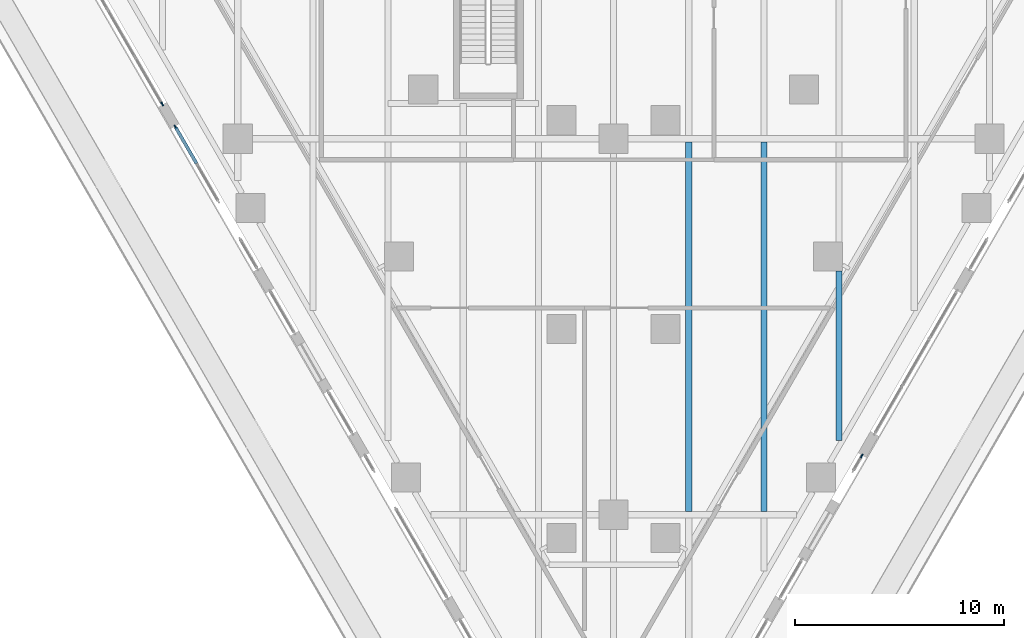
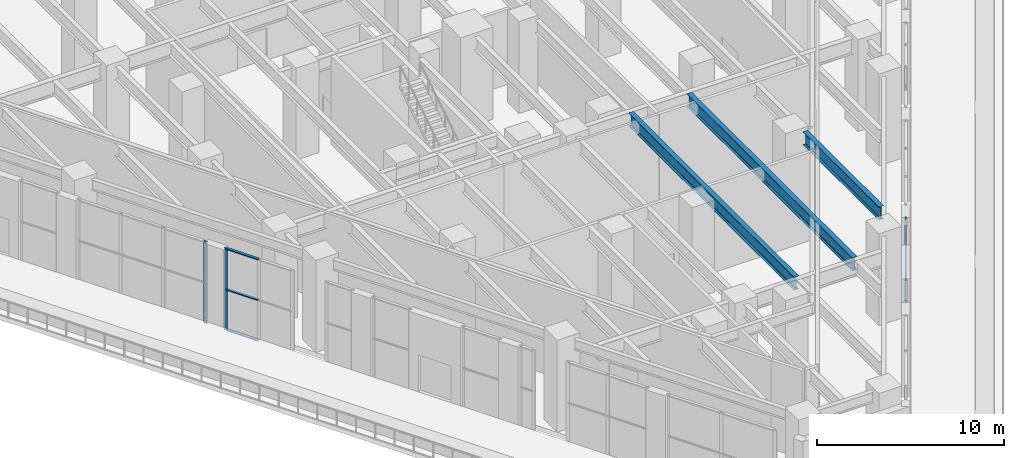
# One storey, part 3 of 40: 6 members, 3 beams, 3 elements without a shape of their own.
"""IFC4 building model written with IfcOpenShell, lengths in metres."""

import ifcopenshell
import ifcopenshell.guid

model = None  # the IFC model being written
_history = None  # IfcOwnerHistory: only IFC2X3 demands one
_inside = {}  # id of a spatial element -> (the spatial element, [elements in it])
_under = {}  # id of a project, library or spatial element -> (it, [spatial elements below it])
_declared = {}  # id of a project -> (the project, [libraries it declares])
_typed = {}  # id of a type object -> (the type object, [elements of that type])
_made_of = {}  # id of a material, layer set ... -> (it, [elements and type objects made of it])


def new_model(schema):
    """Start an empty IFC model of exactly this schema.

    Asked for "IFC4X3", IfcOpenShell would pick the latest addendum, in which some entities
    have other attributes; the version numbers below select the first issue.
    IFC2X3 requires an IfcOwnerHistory on every rooted entity: one is made here for all.
    """
    global model, _history
    if schema == "IFC4X3":
        model = ifcopenshell.file(schema_version=(4, 3, 0, 0))
    else:
        model = ifcopenshell.file(schema=schema)
    _inside.clear()
    _under.clear()
    _declared.clear()
    _typed.clear()
    _made_of.clear()
    _history = None
    if model.schema == "IFC2X3":
        org = make("IfcOrganization", Name="unknown")
        user = make(
            "IfcPersonAndOrganization",
            ThePerson=make("IfcPerson", FamilyName="unknown"),
            TheOrganization=org,
        )
        app = make(
            "IfcApplication",
            ApplicationDeveloper=org,
            Version="unknown",
            ApplicationFullName="unknown",
            ApplicationIdentifier="unknown",
        )
        _history = make(
            "IfcOwnerHistory",
            OwningUser=user,
            OwningApplication=app,
            ChangeAction="ADDED",
            CreationDate=0,
        )
    return model


def make(cls, **values):
    """One entity of the class cls with the attributes given. An attribute that is None is left unset."""
    return model.create_entity(
        cls, **{name: value for name, value in values.items() if value is not None}
    )


def rooted(cls, **values):
    """An entity with a GlobalId (a new one), such as an element, a storey or a relation."""
    return make(cls, GlobalId=ifcopenshell.guid.new(), OwnerHistory=_history, **values)


def si_unit(unit_type, name, prefix=None):
    """IfcSIUnit, for example si_unit("LENGTHUNIT", "METRE", prefix="MILLI")."""
    return make("IfcSIUnit", UnitType=unit_type, Prefix=prefix, Name=name)


def assignment(units):
    """IfcUnitAssignment: the units of a project."""
    return None if units is None else make("IfcUnitAssignment", Units=units)


def point(xyz):
    """IfcCartesianPoint."""
    return None if xyz is None else make("IfcCartesianPoint", Coordinates=xyz)


def direction(xyz):
    """IfcDirection."""
    return None if xyz is None else make("IfcDirection", DirectionRatios=xyz)


def frame(location, z_axis=None, x_axis=None):
    """IfcAxis2Placement3D, a coordinate frame: its origin and axes. An axis left out is left unset."""
    return make(
        "IfcAxis2Placement3D",
        Location=point(location),
        Axis=direction(z_axis),
        RefDirection=direction(x_axis),
    )


def frame_2d(location, x_axis=None):
    """IfcAxis2Placement2D, a coordinate frame in the plane: its origin and x axis."""
    return make(
        "IfcAxis2Placement2D", Location=point(location), RefDirection=direction(x_axis)
    )


def origin():
    """The frame at (0, 0, 0) with its axes left unset."""
    return frame((0.0, 0.0, 0.0))


def origin_2d():
    """The frame at (0, 0) in the plane with its x axis left unset."""
    return frame_2d((0.0, 0.0))


def place(relative_to, where):
    """IfcLocalPlacement: puts the frame where relative to a parent placement (None: the world)."""
    return make(
        "IfcLocalPlacement", PlacementRelTo=relative_to, RelativePlacement=where
    )


def context(
    kind, dimensions, precision=None, world=None, true_north=None, identifier=None
):
    """IfcGeometricRepresentationContext, for example the 3D "Model" context."""
    return make(
        "IfcGeometricRepresentationContext",
        ContextIdentifier=identifier,
        ContextType=kind,
        CoordinateSpaceDimension=dimensions,
        Precision=precision,
        WorldCoordinateSystem=world,
        TrueNorth=true_north,
    )


def subcontext(parent, identifier, kind, view, scale=None):
    """IfcGeometricRepresentationSubContext, for example "Body" below "Model"."""
    return make(
        "IfcGeometricRepresentationSubContext",
        ContextIdentifier=identifier,
        ContextType=kind,
        ParentContext=parent,
        TargetScale=scale,
        TargetView=view,
    )


def project(units=None, contexts=None):
    """IfcProject with its units and contexts."""
    return rooted(
        "IfcProject",
        Name="project",
        RepresentationContexts=contexts,
        UnitsInContext=assignment(units),
    )


def spatial(cls, under=None, at=None, **own):
    """A site, building, storey or space (cls), placed at a placement, below another one or the project."""
    s = rooted(cls, ObjectPlacement=at, **own)
    if under is not None:
        _under.setdefault(under.id(), (under, []))[1].append(s)
    return s


def profile(cls, at=None, kind="AREA", **sizes):
    """A parametric profile (cls). Its sizes go by their IFC names, for example OverallWidth=200.0."""
    return make(cls, ProfileType=kind, Position=at, **sizes)


def rectangle(**sizes):
    """IfcRectangleProfileDef."""
    return profile("IfcRectangleProfileDef", **sizes)


def i_section(**sizes):
    """IfcIShapeProfileDef."""
    return profile("IfcIShapeProfileDef", **sizes)


def extrude(swept, where, along, depth):
    """IfcExtrudedAreaSolid: the profile swept, set in the frame where, extruded along a direction by depth."""
    return make(
        "IfcExtrudedAreaSolid",
        SweptArea=swept,
        Position=where,
        ExtrudedDirection=direction(along),
        Depth=depth,
    )


def shape(context_of_items, identifier, shape_type, items):
    """IfcShapeRepresentation: the items that make up one representation, for example the "Body"."""
    return make(
        "IfcShapeRepresentation",
        ContextOfItems=context_of_items,
        RepresentationIdentifier=identifier,
        RepresentationType=shape_type,
        Items=items,
    )


def material(Name=None, Category=None):
    """IfcMaterial."""
    return make("IfcMaterial", Name=Name, Category=Category)


def material_profile(
    of_material, cross_section, Name=None, Category=None, Priority=None
):
    """IfcMaterialProfile: a cross section and its material."""
    return make(
        "IfcMaterialProfile",
        Name=Name,
        Material=of_material,
        Profile=cross_section,
        Priority=Priority,
        Category=Category,
    )


def profile_set(profiles, Name=None, composite=None):
    """IfcMaterialProfileSet."""
    return make(
        "IfcMaterialProfileSet",
        Name=Name,
        MaterialProfiles=profiles,
        CompositeProfile=composite,
    )


def made_of(thing, what):
    """Note that an element or type object is made of a material, layer set ...; save() writes the relation."""
    if what is not None:
        _made_of.setdefault(what.id(), (what, []))[1].append(thing)
    return thing


def type_object(cls, material=None, **own):
    """A type object (cls), such as IfcWallType, which elements share."""
    return made_of(rooted(cls, **own), material)


def element(
    cls,
    number,
    at=None,
    inside=None,
    cuts=None,
    type_object=None,
    material=None,
    context=None,
    identifier="Body",
    shape_type=None,
    held_by="IfcProductDefinitionShape",
    body=None,
    shapes=None,
    **own,
):
    """One element of the class cls, such as IfcWall. Its Tag is "e" and its number.

    at: its placement. inside: the storey or other place that contains it. cuts: it is an
    opening in that element (IfcRelVoidsElement). A single representation is given by context,
    identifier, shape_type and body (its items); several are given by shapes. held_by: the class
    of the entity that holds the representations. save() writes the other relations.
    """
    e = rooted(cls, Tag="e%d" % number, ObjectPlacement=at, **own)
    if body is not None:
        shapes = [shape(context, identifier, shape_type, body)]
    if shapes is not None:
        e.Representation = make(held_by, Representations=shapes)
    if inside is not None:
        _inside.setdefault(inside.id(), (inside, []))[1].append(e)
    if cuts is not None:
        rooted(
            "IfcRelVoidsElement", RelatingBuildingElement=cuts, RelatedOpeningElement=e
        )
    if type_object is not None:
        _typed.setdefault(type_object.id(), (type_object, []))[1].append(e)
    return made_of(e, material)


def aggregate(whole, parts):
    """IfcRelAggregates: a whole, such as a stair, and the parts it consists of."""
    return rooted("IfcRelAggregates", RelatingObject=whole, RelatedObjects=parts)


def save(model, path):
    """Write the relations noted so far, then the file.

    IfcRelAggregates (storeys below a building ...), IfcRelContainedInSpatialStructure (elements
    in a storey), IfcRelDefinesByType, IfcRelAssociatesMaterial and IfcRelDeclares: one each for
    every whole, place, type object, material and project.
    """
    for whole, parts in _under.values():
        aggregate(whole, parts)
    for where, things in _inside.values():
        rooted(
            "IfcRelContainedInSpatialStructure",
            RelatedElements=things,
            RelatingStructure=where,
        )
    for kind, things in _typed.values():
        rooted("IfcRelDefinesByType", RelatedObjects=things, RelatingType=kind)
    for what, things in _made_of.values():
        rooted("IfcRelAssociatesMaterial", RelatedObjects=things, RelatingMaterial=what)
    for by, libraries in _declared.values():
        rooted("IfcRelDeclares", RelatingContext=by, RelatedDefinitions=libraries)
    model.write(path)


model = new_model("IFC4")

# Units and contexts
model_context = context("Model", 3, precision=1e-05, world=origin(), true_north=direction((0.0, 1.0)))
body_context = subcontext(model_context, "Body", "Model", "MODEL_VIEW")
ifc_project = project(units=[si_unit("LENGTHUNIT", "METRE"), si_unit("AREAUNIT", "SQUARE_METRE"), si_unit("VOLUMEUNIT", "CUBIC_METRE"), si_unit("PLANEANGLEUNIT", "RADIAN"), si_unit("MASSUNIT", "GRAM", prefix="KILO")], contexts=[model_context])

# Site, building, storey
site_placement = place(None, origin())
site = spatial("IfcSite", under=ifc_project, at=site_placement, CompositionType="ELEMENT")
building_placement = place(site_placement, origin())
building = spatial("IfcBuilding", under=site, at=building_placement, Name="Aloe Facet Convention Tower", CompositionType="ELEMENT")
storey_placement = place(building_placement, frame((0.0, 0.0, 13.5)))
storey = spatial("IfcBuildingStorey", under=building, at=storey_placement, Name="L02", CompositionType="ELEMENT", Elevation=13.5)

# Curtain wall, member
ifc_material_1 = material(Name="Aluminium, anodised", Category="aluminium")
curtain_wall_type = type_object("IfcCurtainWallType", Name="EV-CW-HALL", PredefinedType="USERDEFINED", material=ifc_material_1)
curtain_wall_1_placement = place(storey_placement, origin())
curtain_wall_1 = element("IfcCurtainWall", 1, at=curtain_wall_1_placement, inside=storey, type_object=curtain_wall_type, Name="CW-L02-W12", ObjectType="UNITISED HALL GLAZING", PredefinedType="USERDEFINED")
ifc_material_2 = material(Name="Aluminium, anodised", Category="aluminium")
ifc_material_profile_1 = material_profile(ifc_material_2, rectangle(XDim=0.06494140625, YDim=0.199951171875, at=origin_2d()), Name="AL 65x200")
ifc_profile_set_1 = profile_set([ifc_material_profile_1], Name="Aluminium, anodised")
member_type_1 = type_object("IfcMemberType", Name="EV-MULL-HALL", PredefinedType="MULLION", material=ifc_profile_set_1)
member_1_placement = place(storey_placement, frame((58.381103515625, 82.665771484375, -0.300048828125), z_axis=(0.0, 0.0, 1.0), x_axis=(0.866025403758, 0.500000000045, 0.0)))
member_1 = element("IfcMember", 2, at=member_1_placement, type_object=member_type_1, Name="CW-L02-W12 mullion 4", PredefinedType="MULLION", context=body_context, shape_type="SweptSolid", body=[
    extrude(rectangle(XDim=0.06494140625, YDim=0.199951171875, at=origin_2d()), origin(), (0.0, 0.0, 1.0), 5.362548828125),
])
aggregate(curtain_wall_1, [member_1])

curtain_wall_2_placement = place(storey_placement, origin())
curtain_wall_2 = element("IfcCurtainWall", 3, at=curtain_wall_2_placement, inside=storey, type_object=curtain_wall_type, Name="CW-L02-W14-1", ObjectType="UNITISED HALL GLAZING", PredefinedType="USERDEFINED")
member_2_placement = place(storey_placement, frame((59.013427734375, 81.5703125, -0.300048828125), z_axis=(0.0, 0.0, 1.0), x_axis=(0.866025403819, 0.49999999994, 0.0)))
member_2 = element("IfcMember", 4, at=member_2_placement, type_object=member_type_1, Name="CW-L02-W14-1 mullion 1", PredefinedType="MULLION", context=body_context, shape_type="SweptSolid", body=[
    extrude(rectangle(XDim=0.06494140625, YDim=0.199951171875, at=origin_2d()), origin(), (0.0, 0.0, 1.0), 5.362548828125),
])

curtain_wall_3_placement = place(storey_placement, origin())
curtain_wall_3 = element("IfcCurtainWall", 5, at=curtain_wall_3_placement, inside=storey, type_object=curtain_wall_type, Name="CW-L02-E04B", ObjectType="UNITISED HALL GLAZING", PredefinedType="USERDEFINED")
member_3_placement = place(storey_placement, frame((91.8876953125, 65.810546875, -0.300048828125), z_axis=(0.0, 0.0, 1.0), x_axis=(-0.866025403688, 0.500000000166, 0.0)))
member_3 = element("IfcMember", 6, at=member_3_placement, type_object=member_type_1, Name="CW-L02-E04B mullion 2", PredefinedType="MULLION", context=body_context, shape_type="SweptSolid", body=[
    extrude(rectangle(XDim=0.06494140625, YDim=0.199951171875, at=origin_2d()), origin(), (0.0, 0.0, 1.0), 5.362548828125),
])
aggregate(curtain_wall_3, [member_3])

# Member
ifc_material_3 = material(Name="Aluminium, anodised", Category="aluminium")
ifc_material_profile_2 = material_profile(ifc_material_3, rectangle(XDim=0.159912109375, YDim=0.06494140625, at=origin_2d()), Name="AL 160x65")
ifc_profile_set_2 = profile_set([ifc_material_profile_2], Name="Aluminium, anodised")
member_type_2 = type_object("IfcMemberType", Name="EV-TRAN-HALL", PredefinedType="USERDEFINED", material=ifc_profile_set_2)
member_4_placement = place(storey_placement, frame((59.02978515625, 81.5419921875, -0.267578125), z_axis=(0.499995262016, -0.866028139243, 0.0), x_axis=(0.866028139243, 0.499995262016, 0.0)))
member_4 = element("IfcMember", 7, at=member_4_placement, type_object=member_type_2, Name="CW-L02-W14-1 transom 1.1", ObjectType="TRANSOM", PredefinedType="USERDEFINED", context=body_context, shape_type="SweptSolid", body=[
    extrude(rectangle(XDim=0.159912109375, YDim=0.06494140625, at=origin_2d()), origin(), (0.0, 0.0, 1.0), 1.98828125),
])

member_5_placement = place(storey_placement, frame((59.02978515625, 81.5419921875, 2.38134765625), z_axis=(0.499995262016, -0.866028139243, 0.0), x_axis=(0.866028139243, 0.499995262016, 0.0)))
member_5 = element("IfcMember", 8, at=member_5_placement, type_object=member_type_2, Name="CW-L02-W14-1 transom 1.2", ObjectType="TRANSOM", PredefinedType="USERDEFINED", context=body_context, shape_type="SweptSolid", body=[
    extrude(rectangle(XDim=0.159912109375, YDim=0.06494140625, at=origin_2d()), origin(), (0.0, 0.0, 1.0), 1.98828125),
])

member_6_placement = place(storey_placement, frame((59.02978515625, 81.5419921875, 5.030029296875), z_axis=(0.499995262016, -0.866028139243, 0.0), x_axis=(0.866028139243, 0.499995262016, 0.0)))
member_6 = element("IfcMember", 9, at=member_6_placement, type_object=member_type_2, Name="CW-L02-W14-1 transom 1.3", ObjectType="TRANSOM", PredefinedType="USERDEFINED", context=body_context, shape_type="SweptSolid", body=[
    extrude(rectangle(XDim=0.159912109375, YDim=0.06494140625, at=origin_2d()), origin(), (0.0, 0.0, 1.0), 1.98828125),
])

aggregate(curtain_wall_2, [member_2, member_4, member_5, member_6])

# Beams
ifc_material_4 = material(Name="Steel S355", Category="steel")
ifc_material_profile_3 = material_profile(ifc_material_4, i_section(OverallWidth=0.293701171875, OverallDepth=0.850830078125, WebThickness=0.01611328125, FlangeThickness=0.02685546875, FilletRadius=0.017822265625, at=origin_2d()), Name="UB 838x292x226")
ifc_profile_set_3 = profile_set([ifc_material_profile_3], Name="Steel S355")
beam_type = type_object("IfcBeamType", Name="SF-B-UB838x292x226", PredefinedType="BEAM", material=ifc_profile_set_3)
for number, where, z_axis, x_axis, name in (
    (10, (83.60009765625, 63.152587890625, 5.324462890625), (0.0, 1.0, 0.0), (-1.0, 0.0, 0.0), "Floor beam FB-L03-094"),
    (11, (87.199951171875, 63.152587890625, 5.324462890625), (0.0, 1.0, 0.0), (-1.0, 0.0, 0.0), "Floor beam FB-L03-100"),
):
    element("IfcBeam", number, at=place(storey_placement, frame(where, z_axis=z_axis, x_axis=x_axis)), inside=storey, type_object=beam_type, Name=name, PredefinedType="BEAM", context=body_context, shape_type="SweptSolid", body=[
        extrude(i_section(OverallWidth=0.293701171875, OverallDepth=0.850830078125, WebThickness=0.01611328125, FlangeThickness=0.02685546875, FilletRadius=0.017822265625, at=origin_2d()), origin(), (0.0, 0.0, 1.0), 17.69482421875),
    ])
beam_placement = place(storey_placement, frame((90.800048828125, 66.541259765625, 5.324462890625), z_axis=(0.0, 1.0, 0.0), x_axis=(-1.0, 0.0, 0.0)))
element("IfcBeam", 12, at=beam_placement, inside=storey, type_object=beam_type, Name="Floor beam FB-L03-104", PredefinedType="BEAM", context=body_context, shape_type="SweptSolid", body=[
    extrude(i_section(OverallWidth=0.293701171875, OverallDepth=0.850830078125, WebThickness=0.01611328125, FlangeThickness=0.02685546875, FilletRadius=0.017822265625, at=origin_2d()), origin(), (0.0, 0.0, 1.0), 8.124755859375),
])

save(model, "model.ifc")
